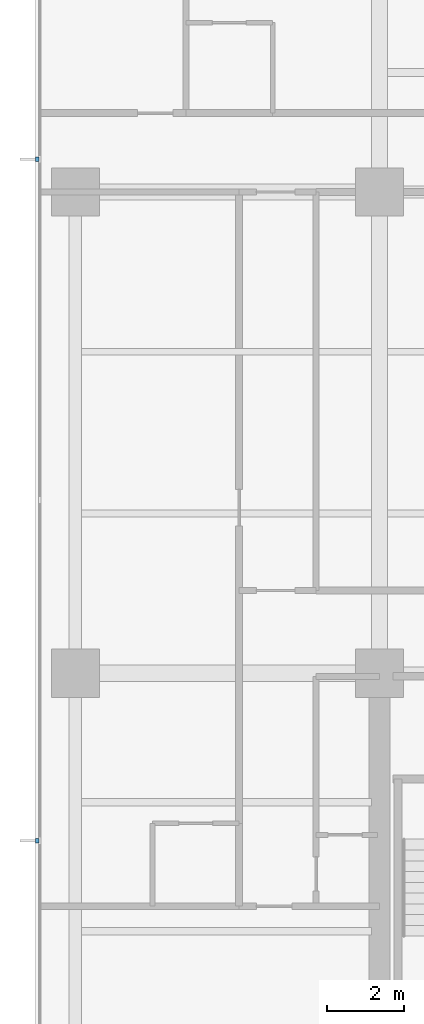
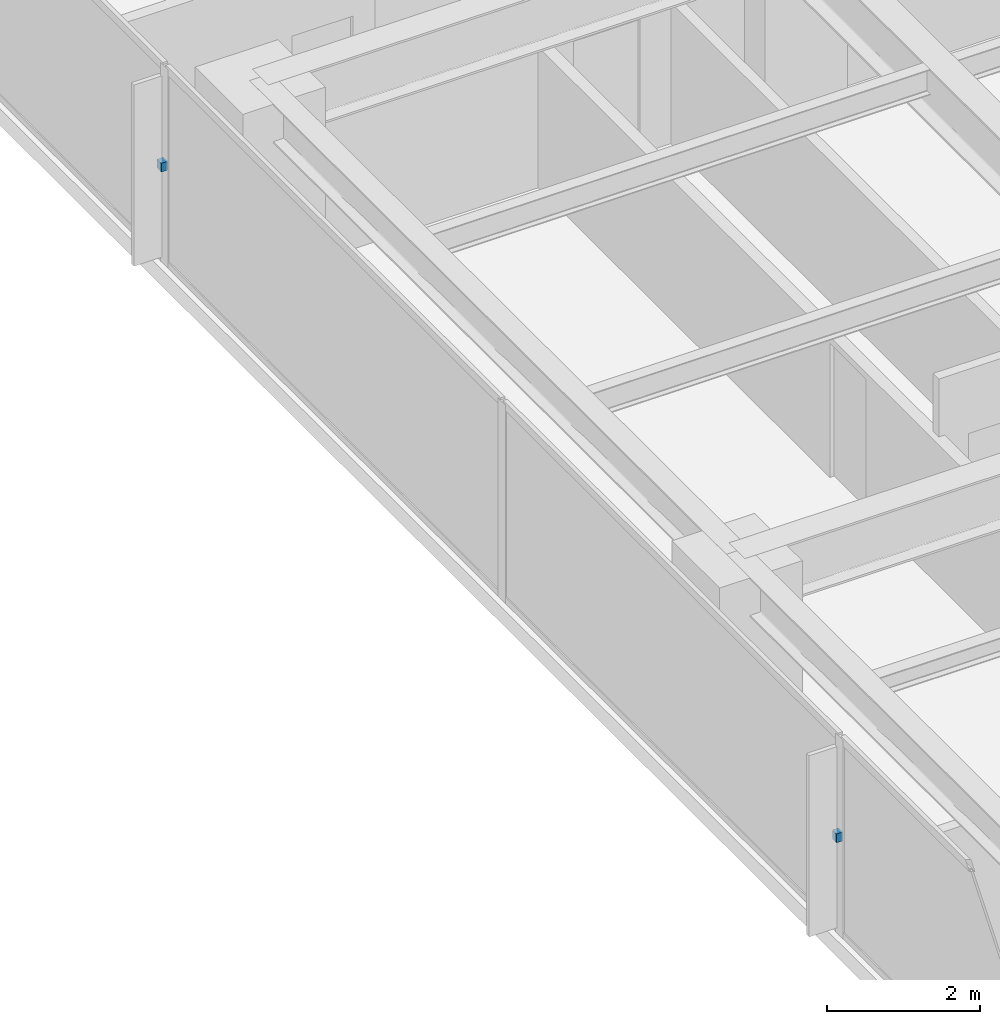
# One storey, part 12 of 16: 2 discrete accessories.
"""IFC4 building model written with IfcOpenShell, lengths in metres."""

from ifc_helpers import new_model, si_unit, direction, frame, origin, place, context, subcontext, project, spatial, polyline, outline, extrude, material, type_object, element, save


model = new_model("IFC4")

# Units and contexts
model_context = context("Model", 3, precision=1e-05, world=origin(), true_north=direction((0.0, 1.0)))
body_context = subcontext(model_context, "Body", "Model", "MODEL_VIEW")
ifc_project = project(units=[si_unit("LENGTHUNIT", "METRE"), si_unit("AREAUNIT", "SQUARE_METRE"), si_unit("VOLUMEUNIT", "CUBIC_METRE"), si_unit("PLANEANGLEUNIT", "RADIAN"), si_unit("MASSUNIT", "GRAM", prefix="KILO")], contexts=[model_context])

# Site, building, storey
site_placement = place(None, origin())
site = spatial("IfcSite", under=ifc_project, at=site_placement, CompositionType="ELEMENT")
building_placement = place(site_placement, origin())
building = spatial("IfcBuilding", under=site, at=building_placement, Name="Qalmaran Belvedere Hotel", CompositionType="ELEMENT")
storey_placement = place(building_placement, frame((0.0, 0.0, 126.699951171875)))
storey = spatial("IfcBuildingStorey", under=building, at=storey_placement, Name="L32", CompositionType="ELEMENT", Elevation=126.699951171875)

# Discrete accessories
ifc_material = material(Name="Stainless Steel 1.4401", Category="steel")
discrete_accessory_type = type_object("IfcDiscreteAccessoryType", Name="BRK-FIN-SS316", PredefinedType="BRACKET", material=ifc_material)
discrete_accessory_1_placement = place(storey_placement, frame((0.0, 0.0, 1.5400390625)))
element("IfcDiscreteAccessory", 1, at=discrete_accessory_1_placement, inside=storey, type_object=discrete_accessory_type, Name="L32 Fin Bracket 1", PredefinedType="BRACKET", context=body_context, shape_type="SweptSolid", body=[
    extrude(outline(polyline([(11.455078125, 33.905029296875), (11.360107421875, 33.905029296875), (11.360107421875, 33.794921875), (11.455078125, 33.794921875), (11.455078125, 33.905029296875)])), origin(), (0.0, 0.0, 1.0), 0.139892578125),
])
discrete_accessory_2_placement = place(storey_placement, frame((0.0, 0.0, 1.5400390625)))
element("IfcDiscreteAccessory", 2, at=discrete_accessory_2_placement, inside=storey, type_object=discrete_accessory_type, Name="L32 Fin Bracket 3", PredefinedType="BRACKET", context=body_context, shape_type="SweptSolid", body=[
    extrude(outline(polyline([(11.455078125, 16.205078125), (11.360107421875, 16.205078125), (11.360107421875, 16.094970703125), (11.455078125, 16.094970703125), (11.455078125, 16.205078125)])), origin(), (0.0, 0.0, 1.0), 0.139892578125),
])

save(model, "model.ifc")
